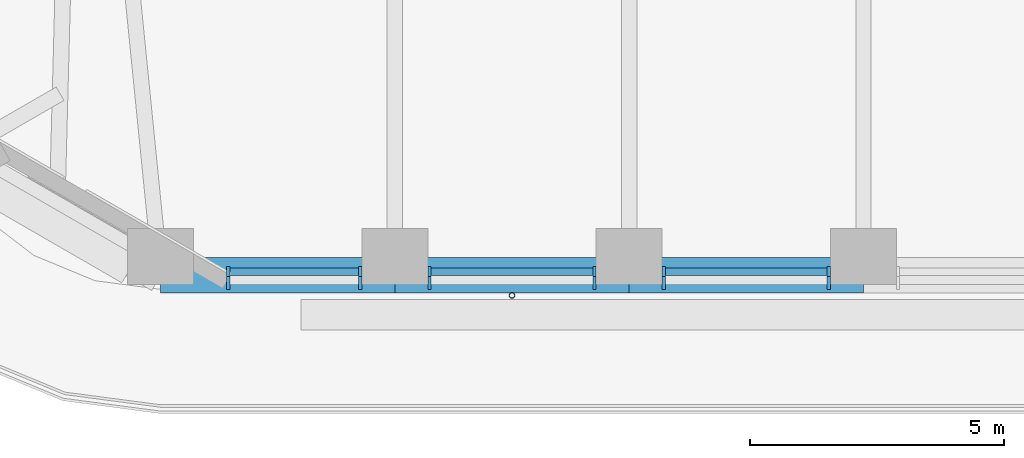
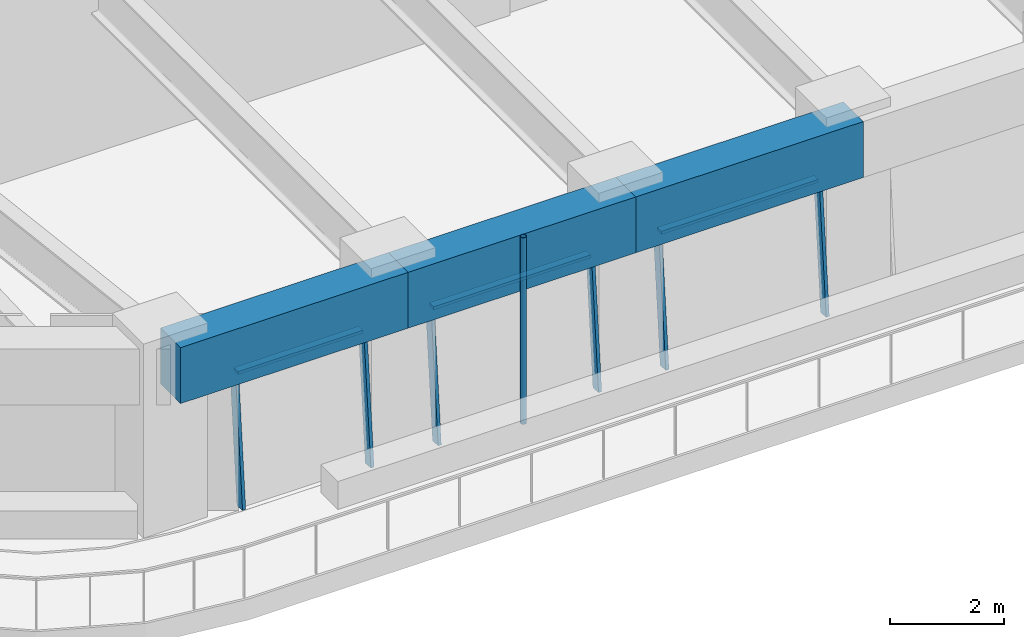
# One storey, part 2 of 20: 10 members, 3 beams, 3 elements without a shape of their own.
"""IFC4 building model written with IfcOpenShell, lengths in metres."""

from ifc_helpers import new_model, si_unit, direction, frame, origin, origin_2d, place, context, subcontext, project, spatial, rectangle, hollow_circle, extrude, material, material_profile, profile_set, type_object, element, aggregate, save


model = new_model("IFC4")

# Units and contexts
model_context = context("Model", 3, precision=1e-05, world=origin(), true_north=direction((0.0, 1.0)))
body_context = subcontext(model_context, "Body", "Model", "MODEL_VIEW")
ifc_project = project(units=[si_unit("LENGTHUNIT", "METRE"), si_unit("AREAUNIT", "SQUARE_METRE"), si_unit("VOLUMEUNIT", "CUBIC_METRE"), si_unit("PLANEANGLEUNIT", "RADIAN"), si_unit("MASSUNIT", "GRAM", prefix="KILO")], contexts=[model_context])

# Site, building, storey
site_placement = place(None, origin())
site = spatial("IfcSite", under=ifc_project, at=site_placement, CompositionType="ELEMENT")
building_placement = place(site_placement, origin())
building = spatial("IfcBuilding", under=site, at=building_placement, Name="Tarfa Lantern Tower", CompositionType="ELEMENT")
storey_placement = place(building_placement, frame((0.0, 0.0, 240.699951171875)))
storey = spatial("IfcBuildingStorey", under=building, at=storey_placement, Name="L54", CompositionType="ELEMENT", Elevation=240.699951171875)

# Curtain wall, members
ifc_material_1 = material(Name="Aluminium framed curtain wall", Category="aluminium")
curtain_wall_type = type_object("IfcCurtainWallType", Name="CW3 CANTED GLAZING HIGH ZONE 2800", PredefinedType="USERDEFINED", material=ifc_material_1)
curtain_wall_1_placement = place(storey_placement, origin())
curtain_wall_1 = element("IfcCurtainWall", 1, at=curtain_wall_1_placement, inside=storey, type_object=curtain_wall_type, Name="CW3 S L54", ObjectType="CURTAIN WALL", PredefinedType="USERDEFINED")
ifc_material_2 = material(Name="Aluminium mullion", Category="aluminium")
ifc_material_profile_1 = material_profile(ifc_material_2, rectangle(XDim=0.06494140625, YDim=0.199951171875, at=origin_2d()), Name="AL MULLION 65x200")
ifc_profile_set_1 = profile_set([ifc_material_profile_1], Name="Aluminium mullion")
member_type_1 = type_object("IfcMemberType", Name="CWM1 MULLION 65x200", PredefinedType="MULLION", material=ifc_profile_set_1)
member_1_placement = place(storey_placement, frame((-12.52392578125, -28.89990234375, 0.0), z_axis=(0.0, 0.088930399417, 0.996037842685), x_axis=(-1.0, 0.0, 0.0)))
member_1 = element("IfcMember", 2, at=member_1_placement, type_object=member_type_1, Name="CW3 mullion 1", PredefinedType="MULLION", context=body_context, shape_type="SweptSolid", body=[
    extrude(rectangle(XDim=0.06494140625, YDim=0.199951171875, at=origin_2d()), origin(), (0.0, 0.0, 1.0), 2.811279296875),
])
member_2_placement = place(storey_placement, frame((-9.920166015625, -28.89990234375, 0.0), z_axis=(0.0, 0.088930399417, 0.996037842685), x_axis=(-1.0, 0.0, 0.0)))
member_2 = element("IfcMember", 3, at=member_2_placement, type_object=member_type_1, Name="CW3 mullion 2", PredefinedType="MULLION", context=body_context, shape_type="SweptSolid", body=[
    extrude(rectangle(XDim=0.06494140625, YDim=0.199951171875, at=origin_2d()), origin(), (0.0, 0.0, 1.0), 2.811279296875),
])

curtain_wall_2_placement = place(storey_placement, origin())
curtain_wall_2 = element("IfcCurtainWall", 4, at=curtain_wall_2_placement, inside=storey, type_object=curtain_wall_type, Name="CW3 S L54", ObjectType="CURTAIN WALL", PredefinedType="USERDEFINED")
member_3_placement = place(storey_placement, frame((-8.55517578125, -28.89990234375, 0.0), z_axis=(0.0, 0.088930399417, 0.996037842685), x_axis=(-1.0, 0.0, 0.0)))
member_3 = element("IfcMember", 5, at=member_3_placement, type_object=member_type_1, Name="CW3 mullion 1", PredefinedType="MULLION", context=body_context, shape_type="SweptSolid", body=[
    extrude(rectangle(XDim=0.06494140625, YDim=0.199951171875, at=origin_2d()), origin(), (0.0, 0.0, 1.0), 2.811279296875),
])
member_4_placement = place(storey_placement, frame((-5.30126953125, -28.89990234375, 0.0), z_axis=(0.0, 0.088930399417, 0.996037842685), x_axis=(-1.0, 0.0, 0.0)))
member_4 = element("IfcMember", 6, at=member_4_placement, type_object=member_type_1, Name="CW3 mullion 2", PredefinedType="MULLION", context=body_context, shape_type="SweptSolid", body=[
    extrude(rectangle(XDim=0.06494140625, YDim=0.199951171875, at=origin_2d()), origin(), (0.0, 0.0, 1.0), 2.811279296875),
])

curtain_wall_3_placement = place(storey_placement, origin())
curtain_wall_3 = element("IfcCurtainWall", 7, at=curtain_wall_3_placement, inside=storey, type_object=curtain_wall_type, Name="CW3 S L54", ObjectType="CURTAIN WALL", PredefinedType="USERDEFINED")
member_5_placement = place(storey_placement, frame((-3.936279296875, -28.89990234375, 0.0), z_axis=(0.0, 0.088930399417, 0.996037842685), x_axis=(-1.0, 0.0, 0.0)))
member_5 = element("IfcMember", 8, at=member_5_placement, type_object=member_type_1, Name="CW3 mullion 1", PredefinedType="MULLION", context=body_context, shape_type="SweptSolid", body=[
    extrude(rectangle(XDim=0.06494140625, YDim=0.199951171875, at=origin_2d()), origin(), (0.0, 0.0, 1.0), 2.811279296875),
])
member_6_placement = place(storey_placement, frame((-0.6826171875, -28.89990234375, 0.0), z_axis=(0.0, 0.088930399417, 0.996037842685), x_axis=(-1.0, 0.0, 0.0)))
member_6 = element("IfcMember", 9, at=member_6_placement, type_object=member_type_1, Name="CW3 mullion 2", PredefinedType="MULLION", context=body_context, shape_type="SweptSolid", body=[
    extrude(rectangle(XDim=0.06494140625, YDim=0.199951171875, at=origin_2d()), origin(), (0.0, 0.0, 1.0), 2.811279296875),
])

# Member
ifc_material_3 = material(Name="Aluminium transom", Category="aluminium")
ifc_material_profile_2 = material_profile(ifc_material_3, rectangle(XDim=0.14990234375, YDim=0.06494140625, at=origin_2d()), Name="AL TRANSOM 150x65")
ifc_profile_set_2 = profile_set([ifc_material_profile_2], Name="Aluminium transom")
member_type_2 = type_object("IfcMemberType", Name="CWT1 TRANSOM 150x65", PredefinedType="USERDEFINED", material=ifc_profile_set_2)
member_7_placement = place(storey_placement, frame((-12.491455078125, -28.65283203125, 2.767578125), z_axis=(1.0, 0.0, 0.0), x_axis=(0.0, 1.0, 0.0)))
member_7 = element("IfcMember", 10, at=member_7_placement, type_object=member_type_2, Name="CW3 transom 1.2", ObjectType="TRANSOM", PredefinedType="USERDEFINED", context=body_context, shape_type="SweptSolid", body=[
    extrude(rectangle(XDim=0.14990234375, YDim=0.06494140625, at=origin_2d()), origin(), (0.0, 0.0, 1.0), 2.538818359375),
])

aggregate(curtain_wall_1, [member_1, member_2, member_7])

member_8_placement = place(storey_placement, frame((-8.522705078125, -28.65283203125, 2.767578125), z_axis=(1.0, 0.0, 0.0), x_axis=(0.0, 1.0, 0.0)))
member_8 = element("IfcMember", 11, at=member_8_placement, type_object=member_type_2, Name="CW3 transom 1.2", ObjectType="TRANSOM", PredefinedType="USERDEFINED", context=body_context, shape_type="SweptSolid", body=[
    extrude(rectangle(XDim=0.14990234375, YDim=0.06494140625, at=origin_2d()), origin(), (0.0, 0.0, 1.0), 3.18896484375),
])

aggregate(curtain_wall_2, [member_3, member_4, member_8])

member_9_placement = place(storey_placement, frame((-3.90380859375, -28.65283203125, 2.767578125), z_axis=(1.0, 0.0, 0.0), x_axis=(0.0, 1.0, 0.0)))
member_9 = element("IfcMember", 12, at=member_9_placement, type_object=member_type_2, Name="CW3 transom 1.2", ObjectType="TRANSOM", PredefinedType="USERDEFINED", context=body_context, shape_type="SweptSolid", body=[
    extrude(rectangle(XDim=0.14990234375, YDim=0.06494140625, at=origin_2d()), origin(), (0.0, 0.0, 1.0), 3.188720703125),
])

aggregate(curtain_wall_3, [member_5, member_6, member_9])

# Beams
ifc_material_4 = material(Name="Concrete C80/95", Category="concrete")
ifc_material_profile_3 = material_profile(ifc_material_4, rectangle(XDim=0.699951171875, YDim=1.199951171875, at=origin_2d()), Name="RC 700x1200")
ifc_profile_set_3 = profile_set([ifc_material_profile_3], Name="Concrete C80/95")
beam_type = type_object("IfcBeamType", Name="EB3 RC 700x1200", PredefinedType="SPANDREL", material=ifc_profile_set_3)
beam_1_placement = place(storey_placement, frame((-13.8564453125, -28.719970703125, 3.400146484375), z_axis=(1.0, 0.0, 0.0), x_axis=(0.0, 1.0, 0.0)))
element("IfcBeam", 13, at=beam_1_placement, inside=storey, type_object=beam_type, Name="Edge beam S0", PredefinedType="SPANDREL", context=body_context, shape_type="SweptSolid", body=[
    extrude(rectangle(XDim=0.699951171875, YDim=1.199951171875, at=origin_2d()), origin(), (0.0, 0.0, 1.0), 4.618896484375),
])
beam_2_placement = place(storey_placement, frame((-9.237548828125, -28.719970703125, 3.400146484375), z_axis=(1.0, 0.0, 0.0), x_axis=(0.0, 1.0, 0.0)))
element("IfcBeam", 14, at=beam_2_placement, inside=storey, type_object=beam_type, Name="Edge beam S1", PredefinedType="SPANDREL", context=body_context, shape_type="SweptSolid", body=[
    extrude(rectangle(XDim=0.699951171875, YDim=1.199951171875, at=origin_2d()), origin(), (0.0, 0.0, 1.0), 4.61865234375),
])
beam_3_placement = place(storey_placement, frame((-4.618896484375, -28.719970703125, 3.400146484375), z_axis=(1.0, 0.0, 0.0), x_axis=(0.0, 1.0, 0.0)))
element("IfcBeam", 15, at=beam_3_placement, inside=storey, type_object=beam_type, Name="Edge beam S2", PredefinedType="SPANDREL", context=body_context, shape_type="SweptSolid", body=[
    extrude(rectangle(XDim=0.699951171875, YDim=1.199951171875, at=origin_2d()), origin(), (0.0, 0.0, 1.0), 4.618896484375),
])

# Member
ifc_material_5 = material(Name="Steel S355", Category="steel")
ifc_material_profile_4 = material_profile(ifc_material_5, hollow_circle(Radius=0.05712890625, WallThickness=0.00634765625, at=origin_2d()), Name="CHS114.3x6.3")
ifc_profile_set_4 = profile_set([ifc_material_profile_4], Name="Steel S355")
member_type_3 = type_object("IfcMemberType", Name="TR1 GREEN WALL TRELLIS CHS114.3x6.3", PredefinedType="USERDEFINED", material=ifc_profile_set_4)
member_10_placement = place(storey_placement, frame((-6.92822265625, -29.1201171875, 0.0), z_axis=(0.0, 0.0, 1.0), x_axis=(1.0, 0.0, 0.0)))
element("IfcMember", 16, at=member_10_placement, inside=storey, type_object=member_type_3, Name="Trellis post S 1", ObjectType="TRELLIS", PredefinedType="USERDEFINED", context=body_context, shape_type="SweptSolid", body=[
    extrude(hollow_circle(Radius=0.05712890625, WallThickness=0.00634765625, at=origin_2d()), origin(), (0.0, 0.0, 1.0), 4.0),
])

save(model, "model.ifc")
